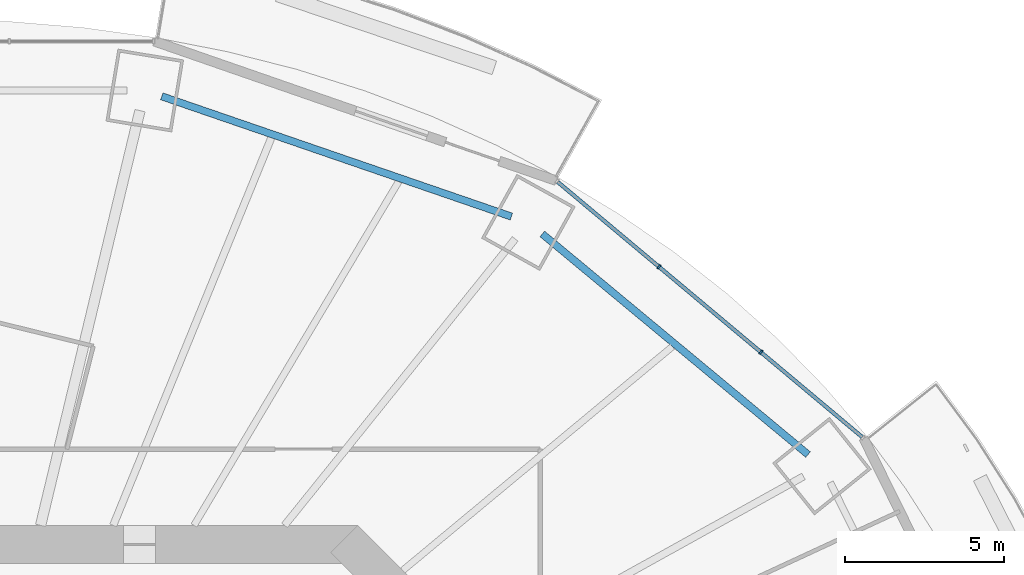
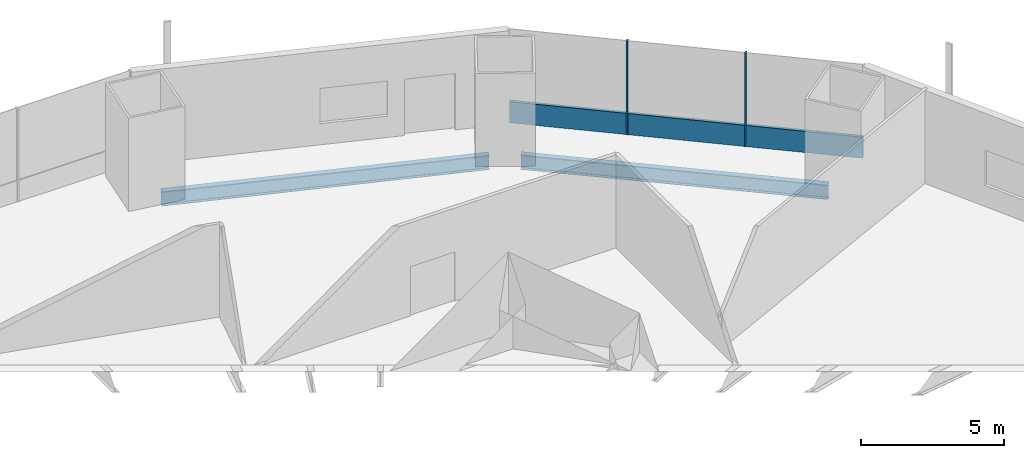
# One storey, part 10 of 22: 3 members, 2 beams, 1 element without a shape of its own.
"""IFC4 building model written with IfcOpenShell, lengths in metres."""

from ifc_helpers import new_model, si_unit, direction, frame, origin, origin_2d, place, context, subcontext, project, spatial, rectangle, i_section, extrude, material, material_profile, profile_set, type_object, element, aggregate, save


model = new_model("IFC4")

# Units and contexts
model_context = context("Model", 3, precision=1e-05, world=origin(), true_north=direction((0.0, 1.0)))
body_context = subcontext(model_context, "Body", "Model", "MODEL_VIEW")
ifc_project = project(units=[si_unit("LENGTHUNIT", "METRE"), si_unit("AREAUNIT", "SQUARE_METRE"), si_unit("VOLUMEUNIT", "CUBIC_METRE"), si_unit("PLANEANGLEUNIT", "RADIAN"), si_unit("MASSUNIT", "GRAM", prefix="KILO")], contexts=[model_context])

# Site, building, storey
site_placement = place(None, origin())
site = spatial("IfcSite", under=ifc_project, at=site_placement, CompositionType="ELEMENT")
building_placement = place(site_placement, origin())
building = spatial("IfcBuilding", under=site, at=building_placement, Name="Marenthal Gate Tower", CompositionType="ELEMENT")
storey_placement = place(building_placement, frame((0.0, 0.0, 82.800048828125)))
storey = spatial("IfcBuildingStorey", under=building, at=storey_placement, Name="L16", CompositionType="ELEMENT", Elevation=82.800048828125)

# Curtain wall, members
ifc_material_1 = material(Name="Aluminium and glass", Category="aluminium")
curtain_wall_type = type_object("IfcCurtainWallType", Name="Curtain wall typical low", PredefinedType="NOTDEFINED", material=ifc_material_1)
curtain_wall_placement = place(storey_placement, origin())
curtain_wall = element("IfcCurtainWall", 1, at=curtain_wall_placement, inside=storey, type_object=curtain_wall_type, Name="Curtain wall L16 bay 2", PredefinedType="NOTDEFINED")
ifc_material_2 = material(Name="Aluminium", Category="aluminium")
ifc_material_profile_1 = material_profile(ifc_material_2, rectangle(XDim=0.159912109375, YDim=0.06005859375, at=origin_2d()), Name="60x160 aluminium mullion")
ifc_profile_set_1 = profile_set([ifc_material_profile_1], Name="Aluminium")
member_type_1 = type_object("IfcMemberType", Name="Mullion 60x160 typical low", PredefinedType="MULLION", material=ifc_profile_set_1)
member_1_placement = place(storey_placement, frame((25.95703125, 19.0556640625, 0.0), z_axis=(0.0, 0.0, 1.0), x_axis=(-0.642228281301, -0.766513427604, 0.0)))
member_1 = element("IfcMember", 2, at=member_1_placement, type_object=member_type_1, Name="Mullion L16 bay 2.2", PredefinedType="MULLION", context=body_context, shape_type="SweptSolid", body=[
    extrude(rectangle(XDim=0.159912109375, YDim=0.06005859375, at=origin_2d()), origin(), (0.0, 0.0, 1.0), 3.969970703125),
])
member_2_placement = place(storey_placement, frame((22.743408203125, 21.748291015625, 0.0), z_axis=(0.0, 0.0, 1.0), x_axis=(-0.642228281301, -0.766513427604, 0.0)))
member_2 = element("IfcMember", 3, at=member_2_placement, type_object=member_type_1, Name="Mullion L16 bay 2.3", PredefinedType="MULLION", context=body_context, shape_type="SweptSolid", body=[
    extrude(rectangle(XDim=0.159912109375, YDim=0.06005859375, at=origin_2d()), origin(), (0.0, 0.0, 1.0), 3.969970703125),
])
ifc_material_3 = material(Name="Aluminium", Category="aluminium")
ifc_material_profile_2 = material_profile(ifc_material_3, rectangle(XDim=0.1201171875, YDim=0.89990234375, at=origin_2d()), Name="120x900 aluminium transom")
ifc_profile_set_2 = profile_set([ifc_material_profile_2], Name="Aluminium")
member_type_2 = type_object("IfcMemberType", Name="Transom 120x900 typical low", PredefinedType="USERDEFINED", material=ifc_profile_set_2)
member_3_placement = place(storey_placement, frame((29.147705078125, 16.38232421875, 0.449951171875), z_axis=(-0.766517626831, 0.642223269399, 0.0), x_axis=(-0.642223269399, -0.766517626831, 0.0)))
member_3 = element("IfcMember", 4, at=member_3_placement, type_object=member_type_2, Name="Transom L16 bay 2", ObjectType="TRANSOM", PredefinedType="USERDEFINED", context=body_context, shape_type="SweptSolid", body=[
    extrude(rectangle(XDim=0.1201171875, YDim=0.89990234375, at=origin_2d()), origin(), (0.0, 0.0, 1.0), 12.517822265625),
])
aggregate(curtain_wall, [member_1, member_2, member_3])

# Beams
ifc_material_4 = material(Name="Steel S355", Category="steel")
ifc_material_profile_3 = material_profile(ifc_material_4, i_section(OverallWidth=0.22900390625, OverallDepth=0.612060546875, WebThickness=0.011962890625, FlangeThickness=0.01953125, FilletRadius=0.0126953125, at=origin_2d()), Name="W610X125")
ifc_profile_set_3 = profile_set([ifc_material_profile_3], Name="Steel S355")
beam_type = type_object("IfcBeamType", Name="W610X125 beam", PredefinedType="BEAM", material=ifc_profile_set_3)
beam_1_placement = place(storey_placement, frame((27.4404296875, 15.8310546875, -0.486083984375), z_axis=(-0.769402188258, 0.638764645784, 0.0), x_axis=(-0.638764645784, -0.769402188258, 0.0)))
element("IfcBeam", 5, at=beam_1_placement, inside=storey, type_object=beam_type, Name="BM-L16-42", PredefinedType="BEAM", context=body_context, shape_type="SweptSolid", body=[
    extrude(i_section(OverallWidth=0.22900390625, OverallDepth=0.612060546875, WebThickness=0.011962890625, FlangeThickness=0.01953125, FilletRadius=0.0126953125, at=origin_2d()), origin(), (0.0, 0.0, 1.0), 10.884033203125),
])
beam_2_placement = place(storey_placement, frame((18.09326171875, 23.330810546875, -0.486083984375), z_axis=(-0.945652773526, 0.32517815413, 0.0), x_axis=(-0.32517815413, -0.945652773526, 0.0)))
element("IfcBeam", 6, at=beam_2_placement, inside=storey, type_object=beam_type, Name="BM-L16-43", PredefinedType="BEAM", context=body_context, shape_type="SweptSolid", body=[
    extrude(i_section(OverallWidth=0.22900390625, OverallDepth=0.612060546875, WebThickness=0.011962890625, FlangeThickness=0.01953125, FilletRadius=0.0126953125, at=origin_2d()), origin(), (0.0, 0.0, 1.0), 11.65087890625),
])

save(model, "model.ifc")
